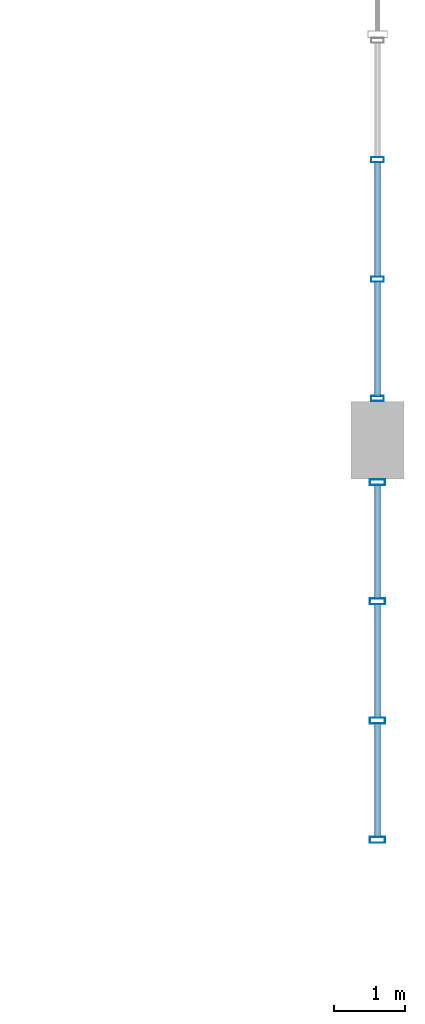
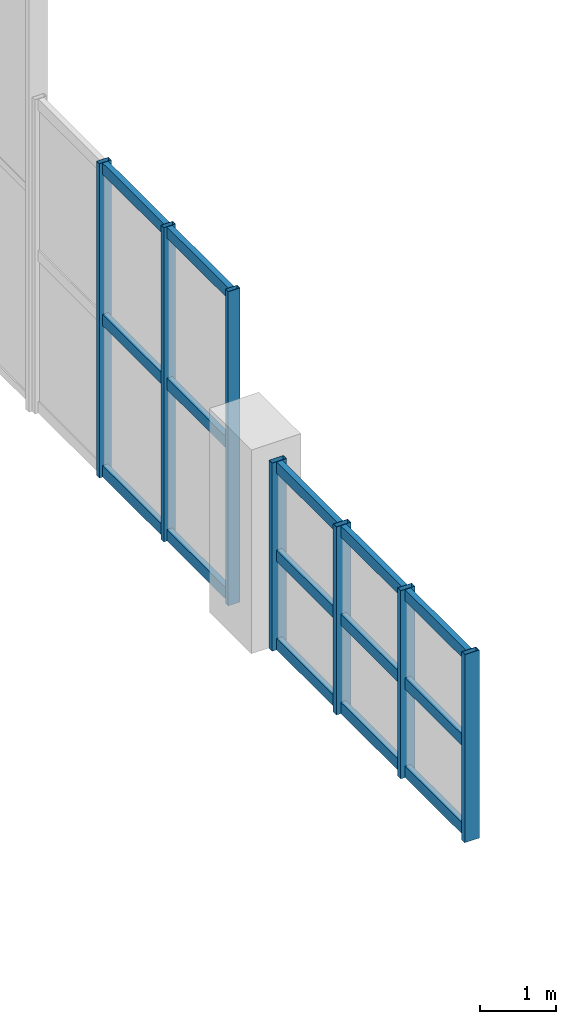
# One storey, part 13 of 28: 22 members, 2 elements without a shape of their own.
"""IFC4 building model written with IfcOpenShell, lengths in metres."""

from ifc_helpers import new_model, si_unit, direction, frame, origin, origin_2d, place, context, subcontext, project, spatial, hollow_rectangle, extrude, material, layer, layer_set, material_profile, profile_set, type_object, element, aggregate, save


model = new_model("IFC4")

# Units and contexts
model_context = context("Model", 3, precision=1e-05, world=origin(), true_north=direction((0.0, 1.0)))
body_context = subcontext(model_context, "Body", "Model", "MODEL_VIEW")
ifc_project = project(units=[si_unit("LENGTHUNIT", "METRE"), si_unit("AREAUNIT", "SQUARE_METRE"), si_unit("VOLUMEUNIT", "CUBIC_METRE"), si_unit("PLANEANGLEUNIT", "RADIAN"), si_unit("MASSUNIT", "GRAM", prefix="KILO"), si_unit("POWERUNIT", "WATT"), si_unit("THERMODYNAMICTEMPERATUREUNIT", "KELVIN")], contexts=[model_context])

# Site, building, storey
site_placement = place(None, origin())
site = spatial("IfcSite", under=ifc_project, at=site_placement, CompositionType="ELEMENT")
building_placement = place(site_placement, origin())
building = spatial("IfcBuilding", under=site, at=building_placement, Name="Kelmbourne Parkland Aquatics Centre", CompositionType="ELEMENT")
storey_placement = place(building_placement, frame((0.0, 0.0, 19.199951171875)))
storey = spatial("IfcBuildingStorey", under=building, at=storey_placement, Name="L04", CompositionType="ELEMENT", Elevation=19.199951171875)

# Curtain wall, members
ifc_material = material(Name="Thermally broken anodised aluminium framing", Category="aluminium")
ifc_layer_1 = layer(ifc_material, 0.179931640625)
ifc_layer_set_1 = layer_set([ifc_layer_1], Name="Thermally broken anodised aluminium framing")
curtain_wall_type_1 = type_object("IfcCurtainWallType", Name="CW-14", PredefinedType="NOTDEFINED", material=ifc_layer_set_1)
curtain_wall_1_placement = place(storey_placement, origin())
curtain_wall_1 = element("IfcCurtainWall", 1, at=curtain_wall_1_placement, inside=storey, type_object=curtain_wall_type_1, Name="Wave-hall clerestory curtain wall CW-L04-086", PredefinedType="NOTDEFINED")
ifc_material_profile_1 = material_profile(ifc_material, hollow_rectangle(XDim=0.074951171875, YDim=0.179931640625, WallThickness=0.00439453125, at=origin_2d()), Name="CW-M 75x180")
ifc_profile_set_1 = profile_set([ifc_material_profile_1], Name="Thermally broken anodised aluminium framing")
member_type_1 = type_object("IfcMemberType", Name="MB-MUL-2", PredefinedType="MULLION", material=ifc_profile_set_1)
member_1_placement = place(storey_placement, frame((175.199951171875, 92.589599609375, 0.0), z_axis=(0.0, 0.0, 1.0), x_axis=(0.0, 1.0, 0.0)))
member_1 = element("IfcMember", 2, at=member_1_placement, type_object=member_type_1, Name="CW-L04-086 mullion 0", PredefinedType="MULLION", context=body_context, shape_type="SweptSolid", body=[
    extrude(hollow_rectangle(XDim=0.074951171875, YDim=0.179931640625, WallThickness=0.00439453125, at=origin_2d()), origin(), (0.0, 0.0, 1.0), 5.037109375),
])
member_2_placement = place(storey_placement, frame((175.199951171875, 94.280517578125, 0.0), z_axis=(0.0, 0.0, 1.0), x_axis=(0.0, 1.0, 0.0)))
member_2 = element("IfcMember", 3, at=member_2_placement, type_object=member_type_1, Name="CW-L04-086 mullion 1", PredefinedType="MULLION", context=body_context, shape_type="SweptSolid", body=[
    extrude(hollow_rectangle(XDim=0.074951171875, YDim=0.179931640625, WallThickness=0.00439453125, at=origin_2d()), origin(), (0.0, 0.0, 1.0), 5.037109375),
])
member_3_placement = place(storey_placement, frame((175.199951171875, 95.971435546875, 0.0), z_axis=(0.0, 0.0, 1.0), x_axis=(0.0, 1.0, 0.0)))
member_3 = element("IfcMember", 4, at=member_3_placement, type_object=member_type_1, Name="CW-L04-086 mullion 2", PredefinedType="MULLION", context=body_context, shape_type="SweptSolid", body=[
    extrude(hollow_rectangle(XDim=0.074951171875, YDim=0.179931640625, WallThickness=0.00439453125, at=origin_2d()), origin(), (0.0, 0.0, 1.0), 5.037109375),
])

ifc_layer_2 = layer(ifc_material, 0.179931640625)
ifc_layer_set_2 = layer_set([ifc_layer_2], Name="Thermally broken anodised aluminium framing")
curtain_wall_type_2 = type_object("IfcCurtainWallType", Name="CW-05", PredefinedType="NOTDEFINED", material=ifc_layer_set_2)
curtain_wall_2_placement = place(storey_placement, origin())
curtain_wall_2 = element("IfcCurtainWall", 5, at=curtain_wall_2_placement, inside=storey, type_object=curtain_wall_type_2, Name="Wave-hall clerestory curtain wall CW-L04-077", PredefinedType="NOTDEFINED")
ifc_material_profile_2 = material_profile(ifc_material, hollow_rectangle(XDim=0.0849609375, YDim=0.219970703125, WallThickness=0.0048828125, at=origin_2d()), Name="CW-M 85x220")
ifc_profile_set_2 = profile_set([ifc_material_profile_2], Name="Thermally broken anodised aluminium framing")
member_type_2 = type_object("IfcMemberType", Name="MB-MUL-3", PredefinedType="MULLION", material=ifc_profile_set_2)
member_4_placement = place(storey_placement, frame((175.199951171875, 86.342529296875, 0.0), z_axis=(0.0, 0.0, 1.0), x_axis=(0.0, 1.0, 0.0)))
member_4 = element("IfcMember", 6, at=member_4_placement, type_object=member_type_2, Name="CW-L04-077 mullion 0", PredefinedType="MULLION", context=body_context, shape_type="SweptSolid", body=[
    extrude(hollow_rectangle(XDim=0.0849609375, YDim=0.219970703125, WallThickness=0.0048828125, at=origin_2d()), origin(), (0.0, 0.0, 1.0), 3.015869140625),
])
member_5_placement = place(storey_placement, frame((175.199951171875, 88.0302734375, 0.0), z_axis=(0.0, 0.0, 1.0), x_axis=(0.0, 1.0, 0.0)))
member_5 = element("IfcMember", 7, at=member_5_placement, type_object=member_type_2, Name="CW-L04-077 mullion 1", PredefinedType="MULLION", context=body_context, shape_type="SweptSolid", body=[
    extrude(hollow_rectangle(XDim=0.0849609375, YDim=0.219970703125, WallThickness=0.0048828125, at=origin_2d()), origin(), (0.0, 0.0, 1.0), 3.015869140625),
])
member_6_placement = place(storey_placement, frame((175.199951171875, 89.7177734375, 0.0), z_axis=(0.0, 0.0, 1.0), x_axis=(0.0, 1.0, 0.0)))
member_6 = element("IfcMember", 8, at=member_6_placement, type_object=member_type_2, Name="CW-L04-077 mullion 2", PredefinedType="MULLION", context=body_context, shape_type="SweptSolid", body=[
    extrude(hollow_rectangle(XDim=0.0849609375, YDim=0.219970703125, WallThickness=0.0048828125, at=origin_2d()), origin(), (0.0, 0.0, 1.0), 3.015869140625),
])
member_7_placement = place(storey_placement, frame((175.199951171875, 91.405517578125, 0.0), z_axis=(0.0, 0.0, 1.0), x_axis=(0.0, 1.0, 0.0)))
member_7 = element("IfcMember", 9, at=member_7_placement, type_object=member_type_2, Name="CW-L04-077 mullion 3", PredefinedType="MULLION", context=body_context, shape_type="SweptSolid", body=[
    extrude(hollow_rectangle(XDim=0.0849609375, YDim=0.219970703125, WallThickness=0.0048828125, at=origin_2d()), origin(), (0.0, 0.0, 1.0), 3.015869140625),
])
ifc_material_profile_3 = material_profile(ifc_material, hollow_rectangle(XDim=0.0849609375, YDim=0.179931640625, WallThickness=0.00439453125, at=origin_2d()), Name="CW-T 85x180")
ifc_profile_set_3 = profile_set([ifc_material_profile_3], Name="Thermally broken anodised aluminium framing")
member_type_3 = type_object("IfcMemberType", Name="MB-TRN-3", PredefinedType="USERDEFINED", material=ifc_profile_set_3)
member_8_placement = place(storey_placement, frame((175.199951171875, 86.381103515625, 0.093017578125), z_axis=(0.0, 1.0, 0.0), x_axis=(-1.0, 0.0, 0.0)))
member_8 = element("IfcMember", 10, at=member_8_placement, type_object=member_type_3, Name="CW-L04-077 transom 0-0", ObjectType="TRANSOM", PredefinedType="USERDEFINED", context=body_context, shape_type="SweptSolid", body=[
    extrude(hollow_rectangle(XDim=0.0849609375, YDim=0.179931640625, WallThickness=0.00439453125, at=origin_2d()), origin(), (0.0, 0.0, 1.0), 1.610595703125),
])
member_9_placement = place(storey_placement, frame((175.199951171875, 88.068603515625, 0.093017578125), z_axis=(0.0, 1.0, 0.0), x_axis=(-1.0, 0.0, 0.0)))
member_9 = element("IfcMember", 11, at=member_9_placement, type_object=member_type_3, Name="CW-L04-077 transom 0-1", ObjectType="TRANSOM", PredefinedType="USERDEFINED", context=body_context, shape_type="SweptSolid", body=[
    extrude(hollow_rectangle(XDim=0.0849609375, YDim=0.179931640625, WallThickness=0.00439453125, at=origin_2d()), origin(), (0.0, 0.0, 1.0), 1.610595703125),
])
member_10_placement = place(storey_placement, frame((175.199951171875, 89.75634765625, 0.093017578125), z_axis=(0.0, 1.0, 0.0), x_axis=(-1.0, 0.0, 0.0)))
member_10 = element("IfcMember", 12, at=member_10_placement, type_object=member_type_3, Name="CW-L04-077 transom 0-2", ObjectType="TRANSOM", PredefinedType="USERDEFINED", context=body_context, shape_type="SweptSolid", body=[
    extrude(hollow_rectangle(XDim=0.0849609375, YDim=0.179931640625, WallThickness=0.00439453125, at=origin_2d()), origin(), (0.0, 0.0, 1.0), 1.610595703125),
])
member_11_placement = place(storey_placement, frame((175.199951171875, 86.381103515625, 1.508056640625), z_axis=(0.0, 1.0, 0.0), x_axis=(-1.0, 0.0, 0.0)))
member_11 = element("IfcMember", 13, at=member_11_placement, type_object=member_type_3, Name="CW-L04-077 transom 1-0", ObjectType="TRANSOM", PredefinedType="USERDEFINED", context=body_context, shape_type="SweptSolid", body=[
    extrude(hollow_rectangle(XDim=0.0849609375, YDim=0.179931640625, WallThickness=0.00439453125, at=origin_2d()), origin(), (0.0, 0.0, 1.0), 1.610595703125),
])
member_12_placement = place(storey_placement, frame((175.199951171875, 88.068603515625, 1.508056640625), z_axis=(0.0, 1.0, 0.0), x_axis=(-1.0, 0.0, 0.0)))
member_12 = element("IfcMember", 14, at=member_12_placement, type_object=member_type_3, Name="CW-L04-077 transom 1-1", ObjectType="TRANSOM", PredefinedType="USERDEFINED", context=body_context, shape_type="SweptSolid", body=[
    extrude(hollow_rectangle(XDim=0.0849609375, YDim=0.179931640625, WallThickness=0.00439453125, at=origin_2d()), origin(), (0.0, 0.0, 1.0), 1.610595703125),
])
member_13_placement = place(storey_placement, frame((175.199951171875, 89.75634765625, 1.508056640625), z_axis=(0.0, 1.0, 0.0), x_axis=(-1.0, 0.0, 0.0)))
member_13 = element("IfcMember", 15, at=member_13_placement, type_object=member_type_3, Name="CW-L04-077 transom 1-2", ObjectType="TRANSOM", PredefinedType="USERDEFINED", context=body_context, shape_type="SweptSolid", body=[
    extrude(hollow_rectangle(XDim=0.0849609375, YDim=0.179931640625, WallThickness=0.00439453125, at=origin_2d()), origin(), (0.0, 0.0, 1.0), 1.610595703125),
])
member_14_placement = place(storey_placement, frame((175.199951171875, 86.381103515625, 2.9228515625), z_axis=(0.0, 1.0, 0.0), x_axis=(-1.0, 0.0, 0.0)))
member_14 = element("IfcMember", 16, at=member_14_placement, type_object=member_type_3, Name="CW-L04-077 transom 2-0", ObjectType="TRANSOM", PredefinedType="USERDEFINED", context=body_context, shape_type="SweptSolid", body=[
    extrude(hollow_rectangle(XDim=0.0849609375, YDim=0.179931640625, WallThickness=0.00439453125, at=origin_2d()), origin(), (0.0, 0.0, 1.0), 1.610595703125),
])
member_15_placement = place(storey_placement, frame((175.199951171875, 88.068603515625, 2.9228515625), z_axis=(0.0, 1.0, 0.0), x_axis=(-1.0, 0.0, 0.0)))
member_15 = element("IfcMember", 17, at=member_15_placement, type_object=member_type_3, Name="CW-L04-077 transom 2-1", ObjectType="TRANSOM", PredefinedType="USERDEFINED", context=body_context, shape_type="SweptSolid", body=[
    extrude(hollow_rectangle(XDim=0.0849609375, YDim=0.179931640625, WallThickness=0.00439453125, at=origin_2d()), origin(), (0.0, 0.0, 1.0), 1.610595703125),
])
member_16_placement = place(storey_placement, frame((175.199951171875, 89.75634765625, 2.9228515625), z_axis=(0.0, 1.0, 0.0), x_axis=(-1.0, 0.0, 0.0)))
member_16 = element("IfcMember", 18, at=member_16_placement, type_object=member_type_3, Name="CW-L04-077 transom 2-2", ObjectType="TRANSOM", PredefinedType="USERDEFINED", context=body_context, shape_type="SweptSolid", body=[
    extrude(hollow_rectangle(XDim=0.0849609375, YDim=0.179931640625, WallThickness=0.00439453125, at=origin_2d()), origin(), (0.0, 0.0, 1.0), 1.610595703125),
])
aggregate(curtain_wall_2, [member_4, member_5, member_6, member_7, member_8, member_9, member_10, member_11, member_12, member_13, member_14, member_15, member_16])

# Member
member_17_placement = place(storey_placement, frame((175.199951171875, 92.623046875, 0.093017578125), z_axis=(0.0, 1.0, 0.0), x_axis=(-1.0, 0.0, 0.0)))
member_17 = element("IfcMember", 19, at=member_17_placement, type_object=member_type_3, Name="CW-L04-086 transom 0-0", ObjectType="TRANSOM", PredefinedType="USERDEFINED", context=body_context, shape_type="SweptSolid", body=[
    extrude(hollow_rectangle(XDim=0.0849609375, YDim=0.179931640625, WallThickness=0.00439453125, at=origin_2d()), origin(), (0.0, 0.0, 1.0), 1.6240234375),
])

member_18_placement = place(storey_placement, frame((175.199951171875, 94.31396484375, 0.093017578125), z_axis=(0.0, 1.0, 0.0), x_axis=(-1.0, 0.0, 0.0)))
member_18 = element("IfcMember", 20, at=member_18_placement, type_object=member_type_3, Name="CW-L04-086 transom 0-1", ObjectType="TRANSOM", PredefinedType="USERDEFINED", context=body_context, shape_type="SweptSolid", body=[
    extrude(hollow_rectangle(XDim=0.0849609375, YDim=0.179931640625, WallThickness=0.00439453125, at=origin_2d()), origin(), (0.0, 0.0, 1.0), 1.6240234375),
])

member_19_placement = place(storey_placement, frame((175.199951171875, 92.623046875, 2.5185546875), z_axis=(0.0, 1.0, 0.0), x_axis=(-1.0, 0.0, 0.0)))
member_19 = element("IfcMember", 21, at=member_19_placement, type_object=member_type_3, Name="CW-L04-086 transom 1-0", ObjectType="TRANSOM", PredefinedType="USERDEFINED", context=body_context, shape_type="SweptSolid", body=[
    extrude(hollow_rectangle(XDim=0.0849609375, YDim=0.179931640625, WallThickness=0.00439453125, at=origin_2d()), origin(), (0.0, 0.0, 1.0), 1.6240234375),
])

member_20_placement = place(storey_placement, frame((175.199951171875, 94.31396484375, 2.5185546875), z_axis=(0.0, 1.0, 0.0), x_axis=(-1.0, 0.0, 0.0)))
member_20 = element("IfcMember", 22, at=member_20_placement, type_object=member_type_3, Name="CW-L04-086 transom 1-1", ObjectType="TRANSOM", PredefinedType="USERDEFINED", context=body_context, shape_type="SweptSolid", body=[
    extrude(hollow_rectangle(XDim=0.0849609375, YDim=0.179931640625, WallThickness=0.00439453125, at=origin_2d()), origin(), (0.0, 0.0, 1.0), 1.6240234375),
])

member_21_placement = place(storey_placement, frame((175.199951171875, 92.623046875, 4.944091796875), z_axis=(0.0, 1.0, 0.0), x_axis=(-1.0, 0.0, 0.0)))
member_21 = element("IfcMember", 23, at=member_21_placement, type_object=member_type_3, Name="CW-L04-086 transom 2-0", ObjectType="TRANSOM", PredefinedType="USERDEFINED", context=body_context, shape_type="SweptSolid", body=[
    extrude(hollow_rectangle(XDim=0.0849609375, YDim=0.179931640625, WallThickness=0.00439453125, at=origin_2d()), origin(), (0.0, 0.0, 1.0), 1.6240234375),
])

member_22_placement = place(storey_placement, frame((175.199951171875, 94.31396484375, 4.944091796875), z_axis=(0.0, 1.0, 0.0), x_axis=(-1.0, 0.0, 0.0)))
member_22 = element("IfcMember", 24, at=member_22_placement, type_object=member_type_3, Name="CW-L04-086 transom 2-1", ObjectType="TRANSOM", PredefinedType="USERDEFINED", context=body_context, shape_type="SweptSolid", body=[
    extrude(hollow_rectangle(XDim=0.0849609375, YDim=0.179931640625, WallThickness=0.00439453125, at=origin_2d()), origin(), (0.0, 0.0, 1.0), 1.6240234375),
])

aggregate(curtain_wall_1, [member_1, member_2, member_3, member_17, member_18, member_19, member_20, member_21, member_22])

save(model, "model.ifc")
